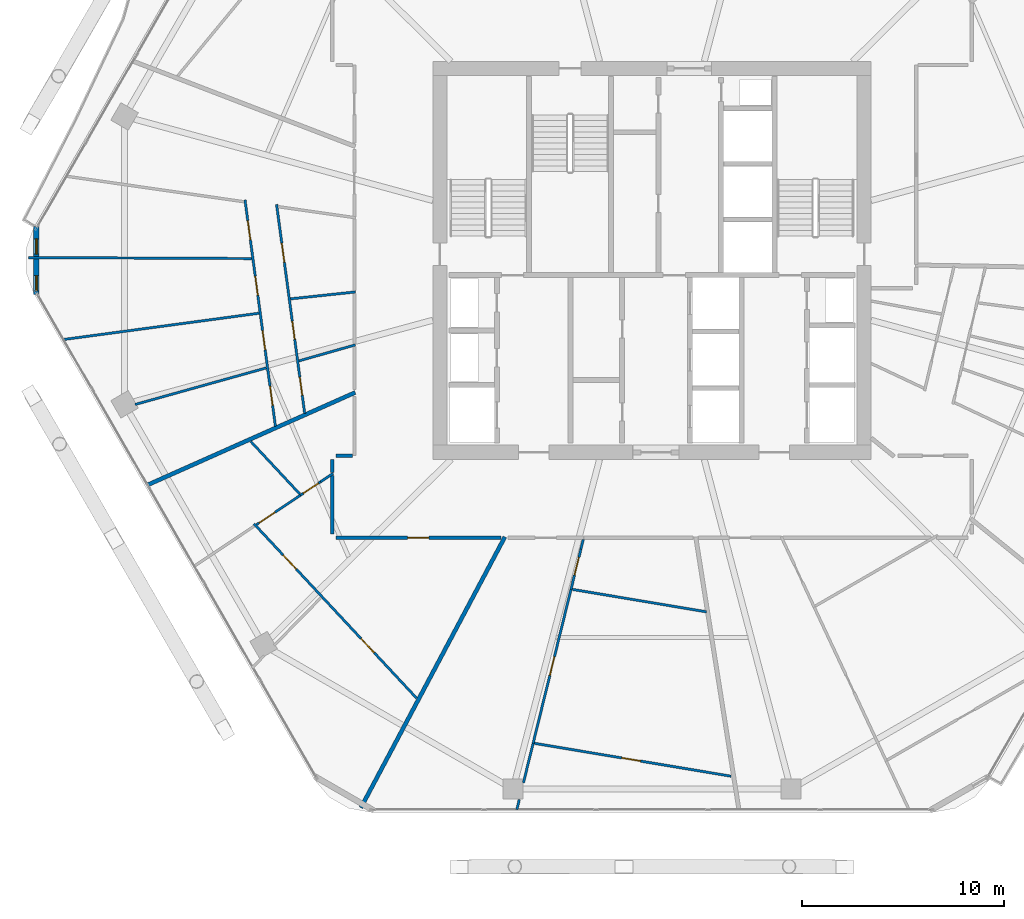
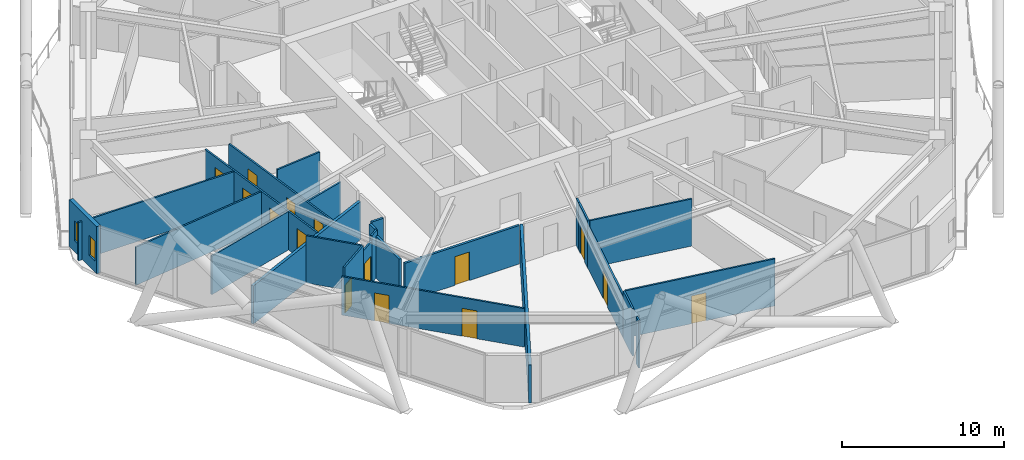
# One storey, part 22 of 30: 26 walls, 15 doors, 2 windows, 17 openings.
"""IFC4 building model written with IfcOpenShell, lengths in metres."""

from ifc_helpers import new_model, si_unit, direction, frame, frame_2d, origin, place, context, subcontext, project, spatial, rectangle, extrude, material, layer, layer_set, type_object, element, fill, save


model = new_model("IFC4")

# Units and contexts
model_context = context("Model", 3, precision=1e-05, world=origin(), true_north=direction((0.0, 1.0)))
body_context = subcontext(model_context, "Body", "Model", "MODEL_VIEW")
ifc_project = project(units=[si_unit("LENGTHUNIT", "METRE"), si_unit("AREAUNIT", "SQUARE_METRE"), si_unit("VOLUMEUNIT", "CUBIC_METRE"), si_unit("PLANEANGLEUNIT", "RADIAN"), si_unit("MASSUNIT", "GRAM", prefix="KILO")], contexts=[model_context])

# Site, building, storey
site_placement = place(None, origin())
site = spatial("IfcSite", under=ifc_project, at=site_placement, CompositionType="ELEMENT")
building_placement = place(site_placement, origin())
building = spatial("IfcBuilding", under=site, at=building_placement, Name="Zuhravey Tower", CompositionType="ELEMENT")
storey_placement = place(building_placement, frame((0.0, 0.0, 177.0)))
storey = spatial("IfcBuildingStorey", under=building, at=storey_placement, Name="L44", CompositionType="ELEMENT", Elevation=177.0)

# Wall, opening, door
ifc_material_1 = material(Name="Gypsum fire-rated stud partition")
ifc_layer_1 = layer(ifc_material_1, 0.159912109375)
ifc_layer_set_1 = layer_set([ifc_layer_1], Name="Gypsum fire-rated stud partition")
wall_type_1 = type_object("IfcWallType", Name="Corridor Fire Partition 160", PredefinedType="PARTITIONING", material=ifc_layer_set_1)
wall_1_placement = place(storey_placement, frame((20.35009765625, 18.27001953125, 0.0), z_axis=(0.0, 0.0, 1.0), x_axis=(1.0, 0.0, 0.0)))
wall_1 = element("IfcWall", 1, at=wall_1_placement, inside=storey, type_object=wall_type_1, Name="L44 IW16 Partition 042", PredefinedType="PARTITIONING", context=body_context, shape_type="SweptSolid", body=[
    extrude(rectangle(XDim=8.17236328125, YDim=0.159912109375, at=frame_2d((4.086181640625, 0.0))), origin(), (0.0, 0.0, 1.0), 2.89990234375),
])
opening_1_placement = place(wall_1_placement, frame((3.561279296875, 0.0, 0.0)))
opening_1 = element("IfcOpeningElement", 2, at=opening_1_placement, cuts=wall_1, Name="Opening APD1", PredefinedType="OPENING", context=body_context, shape_type="SweptSolid", body=[
    extrude(rectangle(XDim=1.050048828125, YDim=2.14990234375, at=frame_2d((0.52490234375, 1.074951171875))), frame((0.0, 0.092041015625, 0.0), z_axis=(0.0, -1.0, 0.0), x_axis=(1.0, 0.0, 0.0)), (0.0, 0.0, 1.0), 0.183837890625),
])
ifc_material_2 = material(Name="Solid-core oak fire-rated leaf")
door_type_1 = type_object("IfcDoorType", Name="Apartment Entrance Fire Door 1050x2150", OperationType="NOTDEFINED", PredefinedType="DOOR", material=ifc_material_2)
door_1_placement = place(opening_1_placement, frame((1.050048828125, 0.0, 0.0), z_axis=(0.0, 0.0, 1.0), x_axis=(-1.0, 0.0, 0.0)))
door_1 = element("IfcDoor", 3, at=door_1_placement, inside=storey, type_object=door_type_1, Name="L44 Door 042.1", OperationType="SINGLE_SWING_LEFT", OverallHeight=2.14990234375, OverallWidth=1.050048828125, PredefinedType="DOOR", context=body_context, shape_type="SweptSolid", body=[
    extrude(rectangle(XDim=1.050048828125, YDim=2.14990234375, at=frame_2d((0.52490234375, 1.074951171875))), frame((0.0, 0.02490234375, 0.0), z_axis=(0.0, -1.0, 0.0), x_axis=(1.0, 0.0, 0.0)), (0.0, 0.0, 1.0), 0.050048828125),
])
fill(opening_1, door_1)

# Walls
wall_2_placement = place(storey_placement, frame((20.169921875, 21.341064453125, 0.0), z_axis=(0.0, 0.0, 1.0), x_axis=(0.0, -1.0, 0.0)))
element("IfcWall", 4, at=wall_2_placement, inside=storey, type_object=wall_type_1, Name="L44 IW16 Partition 114", PredefinedType="PARTITIONING", context=body_context, shape_type="SweptSolid", body=[
    extrude(rectangle(XDim=2.89111328125, YDim=0.159912109375, at=frame_2d((1.445556640625, 0.0))), origin(), (0.0, 0.0, 1.0), 3.14990234375),
])
wall_3_placement = place(storey_placement, frame((21.181884765625, 22.330078125, 0.0), z_axis=(0.0, 0.0, 1.0), x_axis=(-1.0, 0.0, 0.0)))
element("IfcWall", 5, at=wall_3_placement, inside=storey, type_object=wall_type_1, Name="L44 IW16 Partition 116", PredefinedType="PARTITIONING", context=body_context, shape_type="SweptSolid", body=[
    extrude(rectangle(XDim=0.831787109375, YDim=0.159912109375, at=frame_2d((0.416015625, 0.0))), origin(), (0.0, 0.0, 1.0), 3.550048828125),
])
wall_4_placement = place(storey_placement, frame((20.169921875, 22.14990234375, 0.0), z_axis=(0.0, 0.0, 1.0), x_axis=(0.0, -1.0, 0.0)))
element("IfcWall", 6, at=wall_4_placement, inside=storey, type_object=wall_type_1, Name="L44 IW16 Partition 117", PredefinedType="PARTITIONING", context=body_context, shape_type="SweptSolid", body=[
    extrude(rectangle(XDim=0.6455078125, YDim=0.159912109375, at=frame_2d((0.32275390625, 0.0))), origin(), (0.0, 0.0, 1.0), 3.550048828125),
])

# Wall, openings, windows
ifc_material_3 = material(Name="Precast concrete C40/50", Category="concrete")
ifc_layer_2 = layer(ifc_material_3, 0.280029296875)
ifc_layer_set_2 = layer_set([ifc_layer_2], Name="Precast concrete C40/50")
wall_type_2 = type_object("IfcWallType", Name="Crown Architectural Wall 280", PredefinedType="SOLIDWALL", material=ifc_layer_set_2)
wall_5_placement = place(storey_placement, frame((5.5283203125, 30.3173828125, 0.0), z_axis=(0.0, 0.0, 1.0), x_axis=(0.0, 1.0, 0.0)))
wall_5 = element("IfcWall", 7, at=wall_5_placement, inside=storey, type_object=wall_type_2, Name="L44 Rounded Corner Closure Wall EW28-06", PredefinedType="SOLIDWALL", context=body_context, shape_type="SweptSolid", body=[
    extrude(rectangle(XDim=3.365234375, YDim=0.280029296875, at=frame_2d((1.6826171875, 0.0))), origin(), (0.0, 0.0, 1.0), 3.550048828125),
])
opening_2_placement = place(wall_5_placement, frame((1.994384765625, 0.0, 0.85009765625)))
opening_2 = element("IfcOpeningElement", 8, at=opening_2_placement, cuts=wall_5, Name="Opening WN5", PredefinedType="OPENING", context=body_context, shape_type="SweptSolid", body=[
    extrude(rectangle(XDim=0.75, YDim=1.5, at=frame_2d((0.375, 0.75))), frame((0.0, 0.152099609375, 0.0), z_axis=(0.0, -1.0, 0.0), x_axis=(1.0, 0.0, 0.0)), (0.0, 0.0, 1.0), 0.303955078125),
])
opening_3_placement = place(wall_5_placement, frame((0.17919921875, 0.0, 0.85009765625)))
opening_3 = element("IfcOpeningElement", 9, at=opening_3_placement, cuts=wall_5, Name="Opening WN5", PredefinedType="OPENING", context=body_context, shape_type="SweptSolid", body=[
    extrude(rectangle(XDim=0.75, YDim=1.5, at=frame_2d((0.375, 0.75))), frame((0.0, 0.152099609375, 0.0), z_axis=(0.0, -1.0, 0.0), x_axis=(1.0, 0.0, 0.0)), (0.0, 0.0, 1.0), 0.303955078125),
])
ifc_material_4 = material(Name="Thermally broken aluminium and triple low-E glass", Category="aluminium")
window_type = type_object("IfcWindowType", Name="Residential Corner Casement Window 750x1500", PartitioningType="SINGLE_PANEL", PredefinedType="WINDOW", material=ifc_material_4)
window_1_placement = place(opening_2_placement, origin())
window_1 = element("IfcWindow", 10, at=window_1_placement, inside=storey, type_object=window_type, Name="L44 Corner Casement Window WN5-06.1", OverallHeight=1.5, OverallWidth=0.75, PartitioningType="SINGLE_PANEL", PredefinedType="WINDOW", context=body_context, shape_type="SweptSolid", body=[
    extrude(rectangle(XDim=0.75, YDim=1.5, at=frame_2d((0.375, 0.75))), frame((0.0, 0.030029296875, 0.0), z_axis=(0.0, -1.0, 0.0), x_axis=(1.0, 0.0, 0.0)), (0.0, 0.0, 1.0), 0.06005859375),
])
fill(opening_2, window_1)
window_2_placement = place(opening_3_placement, origin())
window_2 = element("IfcWindow", 11, at=window_2_placement, inside=storey, type_object=window_type, Name="L44 Corner Casement Window WN5-06.2", OverallHeight=1.5, OverallWidth=0.75, PartitioningType="SINGLE_PANEL", PredefinedType="WINDOW", context=body_context, shape_type="SweptSolid", body=[
    extrude(rectangle(XDim=0.75, YDim=1.5, at=frame_2d((0.375, 0.75))), frame((0.0, 0.030029296875, 0.0), z_axis=(0.0, -1.0, 0.0), x_axis=(1.0, 0.0, 0.0)), (0.0, 0.0, 1.0), 0.06005859375),
])
fill(opening_3, window_2)

# Walls
ifc_material_5 = material(Name="Gypsum double-stud party assembly")
ifc_layer_3 = layer(ifc_material_5, 0.199951171875)
ifc_layer_set_3 = layer_set([ifc_layer_3], Name="Gypsum double-stud party assembly")
wall_type_3 = type_object("IfcWallType", Name="Inter-Tenancy Party Wall 200", PredefinedType="PARTITIONING", material=ifc_layer_set_3)
wall_6_placement = place(storey_placement, frame((21.31005859375, 25.459716796875, 0.0), z_axis=(0.0, 0.0, 1.0), x_axis=(-0.913543837416, -0.406740282146, 0.0)))
element("IfcWall", 12, at=wall_6_placement, inside=storey, type_object=wall_type_3, Name="L44 IW20 Partition 081", PredefinedType="PARTITIONING", context=body_context, shape_type="SweptSolid", body=[
    extrude(rectangle(XDim=11.252685546875, YDim=0.199951171875, at=frame_2d((5.62646484375, 0.0))), origin(), (0.0, 0.0, 1.0), 2.8701171875),
])
wall_7_placement = place(storey_placement, frame((28.720947265625, 18.31005859375, 0.0), z_axis=(0.0, 0.0, 1.0), x_axis=(-0.469463317487, -0.882951976913, 0.0)))
element("IfcWall", 13, at=wall_7_placement, inside=storey, type_object=wall_type_3, Name="L44 IW20 Partition 086", PredefinedType="PARTITIONING", context=body_context, shape_type="SweptSolid", body=[
    extrude(rectangle(XDim=15.178466796875, YDim=0.199951171875, at=frame_2d((7.58935546875, 0.0))), origin(), (0.0, 0.0, 1.0), 2.8701171875),
])

# Wall, openings, doors
ifc_material_6 = material(Name="Gypsum metal-stud partition")
ifc_layer_4 = layer(ifc_material_6, 0.1201171875)
ifc_layer_set_4 = layer_set([ifc_layer_4], Name="Gypsum metal-stud partition")
wall_type_4 = type_object("IfcWallType", Name="Unit Internal Partition 120", PredefinedType="PARTITIONING", material=ifc_layer_set_4)
wall_8_placement = place(storey_placement, frame((17.417724609375, 34.772216796875, 0.0), z_axis=(0.0, 0.0, 1.0), x_axis=(0.133300793384, -0.991075627025, 0.0)))
wall_8 = element("IfcWall", 14, at=wall_8_placement, inside=storey, type_object=wall_type_4, Name="L44 IW12 Partition 035", PredefinedType="PARTITIONING", context=body_context, shape_type="SweptSolid", body=[
    extrude(rectangle(XDim=10.44873046875, YDim=0.1201171875, at=frame_2d((5.224365234375, 0.0))), origin(), (0.0, 0.0, 1.0), 2.89990234375),
])
opening_4_placement = place(wall_8_placement, frame((1.939697265625, 0.0, 0.0)))
opening_4 = element("IfcOpeningElement", 15, at=opening_4_placement, cuts=wall_8, Name="Opening IND1", PredefinedType="OPENING", context=body_context, shape_type="SweptSolid", body=[
    extrude(rectangle(XDim=0.949951171875, YDim=2.10009765625, at=frame_2d((0.47509765625, 1.050048828125))), frame((0.0, 0.072021484375, 0.0), z_axis=(0.0, -1.0, 0.0), x_axis=(1.0, 0.0, 0.0)), (0.0, 0.0, 1.0), 0.14404296875),
])
opening_5_placement = place(wall_8_placement, frame((5.830810546875, 0.0, 0.0)))
opening_5 = element("IfcOpeningElement", 16, at=opening_5_placement, cuts=wall_8, Name="Opening WCD1", PredefinedType="OPENING", context=body_context, shape_type="SweptSolid", body=[
    extrude(rectangle(XDim=0.89990234375, YDim=2.10009765625, at=frame_2d((0.449951171875, 1.050048828125))), frame((0.0, 0.072021484375, 0.0), z_axis=(0.0, -1.0, 0.0), x_axis=(1.0, 0.0, 0.0)), (0.0, 0.0, 1.0), 0.14404296875),
])
opening_6_placement = place(wall_8_placement, frame((8.64013671875, 0.0, 0.0)))
opening_6 = element("IfcOpeningElement", 17, at=opening_6_placement, cuts=wall_8, Name="Opening WCD1", PredefinedType="OPENING", context=body_context, shape_type="SweptSolid", body=[
    extrude(rectangle(XDim=0.89990234375, YDim=2.10009765625, at=frame_2d((0.449951171875, 1.050048828125))), frame((0.0, 0.072021484375, 0.0), z_axis=(0.0, -1.0, 0.0), x_axis=(1.0, 0.0, 0.0)), (0.0, 0.0, 1.0), 0.14404296875),
])
ifc_material_7 = material(Name="Moisture-resistant timber leaf", Category="wood")
door_type_2 = type_object("IfcDoorType", Name="Bathroom & WC Internal Door 900x2100", OperationType="NOTDEFINED", PredefinedType="DOOR", material=ifc_material_7)
door_2_placement = place(opening_5_placement, origin())
door_2 = element("IfcDoor", 18, at=door_2_placement, inside=storey, type_object=door_type_2, Name="Apartment L44-04 Bathroom 1 Door", OperationType="SINGLE_SWING_RIGHT", OverallHeight=2.10009765625, OverallWidth=0.89990234375, PredefinedType="DOOR", context=body_context, shape_type="SweptSolid", body=[
    extrude(rectangle(XDim=0.89990234375, YDim=2.10009765625, at=frame_2d((0.449951171875, 1.050048828125))), frame((0.0, 0.02490234375, 0.0), z_axis=(0.0, -1.0, 0.0), x_axis=(1.0, 0.0, 0.0)), (0.0, 0.0, 1.0), 0.050048828125),
])
fill(opening_5, door_2)
door_3_placement = place(opening_6_placement, origin())
door_3 = element("IfcDoor", 19, at=door_3_placement, inside=storey, type_object=door_type_2, Name="Apartment L44-04 Bathroom 2 Door", OperationType="SINGLE_SWING_LEFT", OverallHeight=2.10009765625, OverallWidth=0.89990234375, PredefinedType="DOOR", context=body_context, shape_type="SweptSolid", body=[
    extrude(rectangle(XDim=0.89990234375, YDim=2.10009765625, at=frame_2d((0.449951171875, 1.050048828125))), frame((0.0, 0.02490234375, 0.0), z_axis=(0.0, -1.0, 0.0), x_axis=(1.0, 0.0, 0.0)), (0.0, 0.0, 1.0), 0.050048828125),
])
fill(opening_6, door_3)
ifc_material_8 = material(Name="Painted engineered timber leaf", Category="wood")
door_type_3 = type_object("IfcDoorType", Name="Internal Room & Bedroom Door 950x2100", OperationType="NOTDEFINED", PredefinedType="DOOR", material=ifc_material_8)
door_4_placement = place(opening_4_placement, origin())
door_4 = element("IfcDoor", 20, at=door_4_placement, inside=storey, type_object=door_type_3, Name="Apartment L44-04 Kitchen Door", OperationType="SINGLE_SWING_LEFT", OverallHeight=2.10009765625, OverallWidth=0.949951171875, PredefinedType="DOOR", context=body_context, shape_type="SweptSolid", body=[
    extrude(rectangle(XDim=0.949951171875, YDim=2.10009765625, at=frame_2d((0.47509765625, 1.050048828125))), frame((0.0, 0.02490234375, 0.0), z_axis=(0.0, -1.0, 0.0), x_axis=(1.0, 0.0, 0.0)), (0.0, 0.0, 1.0), 0.050048828125),
])
fill(opening_4, door_4)

wall_9_placement = place(storey_placement, frame((15.85400390625, 34.9970703125, 0.0), z_axis=(0.0, 0.0, 1.0), x_axis=(0.133279106394, -0.991078543708, 0.0)))
wall_9 = element("IfcWall", 21, at=wall_9_placement, inside=storey, type_object=wall_type_4, Name="L44 IW12 Partition 036", PredefinedType="PARTITIONING", context=body_context, shape_type="SweptSolid", body=[
    extrude(rectangle(XDim=11.311279296875, YDim=0.1201171875, at=frame_2d((5.65576171875, 0.0))), origin(), (0.0, 0.0, 1.0), 2.89990234375),
])
opening_7_placement = place(wall_9_placement, frame((1.041748046875, 0.0, 0.0)))
opening_7 = element("IfcOpeningElement", 22, at=opening_7_placement, cuts=wall_9, Name="Opening IND1", PredefinedType="OPENING", context=body_context, shape_type="SweptSolid", body=[
    extrude(rectangle(XDim=0.949951171875, YDim=2.10009765625, at=frame_2d((0.47509765625, 1.050048828125))), frame((0.0, 0.072021484375, 0.0), z_axis=(0.0, -1.0, 0.0), x_axis=(1.0, 0.0, 0.0)), (0.0, 0.0, 1.0), 0.14404296875),
])
opening_8_placement = place(wall_9_placement, frame((3.819091796875, 0.0, 0.0)))
opening_8 = element("IfcOpeningElement", 23, at=opening_8_placement, cuts=wall_9, Name="Opening IND1", PredefinedType="OPENING", context=body_context, shape_type="SweptSolid", body=[
    extrude(rectangle(XDim=0.949951171875, YDim=2.10009765625, at=frame_2d((0.47509765625, 1.050048828125))), frame((0.0, 0.072021484375, 0.0), z_axis=(0.0, -1.0, 0.0), x_axis=(1.0, 0.0, 0.0)), (0.0, 0.0, 1.0), 0.14404296875),
])
opening_9_placement = place(wall_9_placement, frame((6.5419921875, 0.0, 0.0)))
opening_9 = element("IfcOpeningElement", 24, at=opening_9_placement, cuts=wall_9, Name="Opening IND1", PredefinedType="OPENING", context=body_context, shape_type="SweptSolid", body=[
    extrude(rectangle(XDim=0.949951171875, YDim=2.10009765625, at=frame_2d((0.47509765625, 1.050048828125))), frame((0.0, 0.072021484375, 0.0), z_axis=(0.0, -1.0, 0.0), x_axis=(1.0, 0.0, 0.0)), (0.0, 0.0, 1.0), 0.14404296875),
])
opening_10_placement = place(wall_9_placement, frame((9.319580078125, 0.0, 0.0)))
opening_10 = element("IfcOpeningElement", 25, at=opening_10_placement, cuts=wall_9, Name="Opening IND1", PredefinedType="OPENING", context=body_context, shape_type="SweptSolid", body=[
    extrude(rectangle(XDim=0.949951171875, YDim=2.10009765625, at=frame_2d((0.47509765625, 1.050048828125))), frame((0.0, 0.072021484375, 0.0), z_axis=(0.0, -1.0, 0.0), x_axis=(1.0, 0.0, 0.0)), (0.0, 0.0, 1.0), 0.14404296875),
])
door_5_placement = place(opening_7_placement, frame((0.949951171875, 0.0, 0.0), z_axis=(0.0, 0.0, 1.0), x_axis=(-1.0, 0.0, 0.0)))
door_5 = element("IfcDoor", 26, at=door_5_placement, inside=storey, type_object=door_type_3, Name="Apartment L44-04 Bedroom 1 Door", OperationType="SINGLE_SWING_RIGHT", OverallHeight=2.10009765625, OverallWidth=0.949951171875, PredefinedType="DOOR", context=body_context, shape_type="SweptSolid", body=[
    extrude(rectangle(XDim=0.949951171875, YDim=2.10009765625, at=frame_2d((0.47509765625, 1.050048828125))), frame((0.0, 0.02490234375, 0.0), z_axis=(0.0, -1.0, 0.0), x_axis=(1.0, 0.0, 0.0)), (0.0, 0.0, 1.0), 0.050048828125),
])
fill(opening_7, door_5)
door_6_placement = place(opening_8_placement, frame((0.949951171875, 0.0, 0.0), z_axis=(0.0, 0.0, 1.0), x_axis=(-1.0, 0.0, 0.0)))
door_6 = element("IfcDoor", 27, at=door_6_placement, inside=storey, type_object=door_type_3, Name="Apartment L44-04 Bedroom 2 Door", OperationType="SINGLE_SWING_LEFT", OverallHeight=2.10009765625, OverallWidth=0.949951171875, PredefinedType="DOOR", context=body_context, shape_type="SweptSolid", body=[
    extrude(rectangle(XDim=0.949951171875, YDim=2.10009765625, at=frame_2d((0.47509765625, 1.050048828125))), frame((0.0, 0.02490234375, 0.0), z_axis=(0.0, -1.0, 0.0), x_axis=(1.0, 0.0, 0.0)), (0.0, 0.0, 1.0), 0.050048828125),
])
fill(opening_8, door_6)
door_7_placement = place(opening_9_placement, frame((0.949951171875, 0.0, 0.0), z_axis=(0.0, 0.0, 1.0), x_axis=(-1.0, 0.0, 0.0)))
door_7 = element("IfcDoor", 28, at=door_7_placement, inside=storey, type_object=door_type_3, Name="Apartment L44-04 Bedroom 3 Door", OperationType="SINGLE_SWING_RIGHT", OverallHeight=2.10009765625, OverallWidth=0.949951171875, PredefinedType="DOOR", context=body_context, shape_type="SweptSolid", body=[
    extrude(rectangle(XDim=0.949951171875, YDim=2.10009765625, at=frame_2d((0.47509765625, 1.050048828125))), frame((0.0, 0.02490234375, 0.0), z_axis=(0.0, -1.0, 0.0), x_axis=(1.0, 0.0, 0.0)), (0.0, 0.0, 1.0), 0.050048828125),
])
fill(opening_9, door_7)
door_8_placement = place(opening_10_placement, frame((0.949951171875, 0.0, 0.0), z_axis=(0.0, 0.0, 1.0), x_axis=(-1.0, 0.0, 0.0)))
door_8 = element("IfcDoor", 29, at=door_8_placement, inside=storey, type_object=door_type_3, Name="Apartment L44-04 Bedroom 4 Door", OperationType="SINGLE_SWING_LEFT", OverallHeight=2.10009765625, OverallWidth=0.949951171875, PredefinedType="DOOR", context=body_context, shape_type="SweptSolid", body=[
    extrude(rectangle(XDim=0.949951171875, YDim=2.10009765625, at=frame_2d((0.47509765625, 1.050048828125))), frame((0.0, 0.02490234375, 0.0), z_axis=(0.0, -1.0, 0.0), x_axis=(1.0, 0.0, 0.0)), (0.0, 0.0, 1.0), 0.050048828125),
])
fill(opening_10, door_8)

wall_10_placement = place(storey_placement, frame((16.301513671875, 18.9580078125, 0.0), z_axis=(0.0, 0.0, 1.0), x_axis=(0.681998933698, -0.731353166695, 0.0)))
wall_10 = element("IfcWall", 30, at=wall_10_placement, inside=storey, type_object=wall_type_4, Name="L44 IW12 Partition 038", PredefinedType="PARTITIONING", context=body_context, shape_type="SweptSolid", body=[
    extrude(rectangle(XDim=11.7978515625, YDim=0.1201171875, at=frame_2d((5.89892578125, 0.0))), origin(), (0.0, 0.0, 1.0), 2.89990234375),
])
opening_11_placement = place(wall_10_placement, frame((2.1103515625, 0.0, 0.0)))
opening_11 = element("IfcOpeningElement", 31, at=opening_11_placement, cuts=wall_10, Name="Opening IND1", PredefinedType="OPENING", context=body_context, shape_type="SweptSolid", body=[
    extrude(rectangle(XDim=0.949951171875, YDim=2.10009765625, at=frame_2d((0.47509765625, 1.050048828125))), frame((0.0, 0.072021484375, 0.0), z_axis=(0.0, -1.0, 0.0), x_axis=(1.0, 0.0, 0.0)), (0.0, 0.0, 1.0), 0.14404296875),
])
opening_12_placement = place(wall_10_placement, frame((7.769287109375, 0.0, 0.0)))
opening_12 = element("IfcOpeningElement", 32, at=opening_12_placement, cuts=wall_10, Name="Opening IND1", PredefinedType="OPENING", context=body_context, shape_type="SweptSolid", body=[
    extrude(rectangle(XDim=0.949951171875, YDim=2.10009765625, at=frame_2d((0.47509765625, 1.050048828125))), frame((0.0, 0.072021484375, 0.0), z_axis=(0.0, -1.0, 0.0), x_axis=(1.0, 0.0, 0.0)), (0.0, 0.0, 1.0), 0.14404296875),
])
door_9_placement = place(opening_11_placement, frame((0.949951171875, 0.0, 0.0), z_axis=(0.0, 0.0, 1.0), x_axis=(-1.0, 0.0, 0.0)))
door_9 = element("IfcDoor", 33, at=door_9_placement, inside=storey, type_object=door_type_3, Name="Apartment L44-05 Family Study Door", OperationType="SINGLE_SWING_LEFT", OverallHeight=2.10009765625, OverallWidth=0.949951171875, PredefinedType="DOOR", context=body_context, shape_type="SweptSolid", body=[
    extrude(rectangle(XDim=0.949951171875, YDim=2.10009765625, at=frame_2d((0.47509765625, 1.050048828125))), frame((0.0, 0.02490234375, 0.0), z_axis=(0.0, -1.0, 0.0), x_axis=(1.0, 0.0, 0.0)), (0.0, 0.0, 1.0), 0.050048828125),
])
fill(opening_11, door_9)
door_10_placement = place(opening_12_placement, frame((0.949951171875, 0.0, 0.0), z_axis=(0.0, 0.0, 1.0), x_axis=(-1.0, 0.0, 0.0)))
door_10 = element("IfcDoor", 34, at=door_10_placement, inside=storey, type_object=door_type_3, Name="Apartment L44-05 Dining Room Door", OperationType="SINGLE_SWING_RIGHT", OverallHeight=2.10009765625, OverallWidth=0.949951171875, PredefinedType="DOOR", context=body_context, shape_type="SweptSolid", body=[
    extrude(rectangle(XDim=0.949951171875, YDim=2.10009765625, at=frame_2d((0.47509765625, 1.050048828125))), frame((0.0, 0.02490234375, 0.0), z_axis=(0.0, -1.0, 0.0), x_axis=(1.0, 0.0, 0.0)), (0.0, 0.0, 1.0), 0.050048828125),
])
fill(opening_12, door_10)

# Wall, opening, door
wall_11_placement = place(storey_placement, frame((19.60009765625, 21.0419921875, 0.0), z_axis=(0.0, 0.0, 1.0), x_axis=(-0.831460345356, -0.555584101735, 0.0)))
wall_11 = element("IfcWall", 35, at=wall_11_placement, inside=storey, type_object=wall_type_4, Name="L44 IW12 Partition 039", PredefinedType="PARTITIONING", context=body_context, shape_type="SweptSolid", body=[
    extrude(rectangle(XDim=1.210693359375, YDim=0.1201171875, at=frame_2d((0.60546875, 0.0))), origin(), (0.0, 0.0, 1.0), 3.14990234375),
])
opening_13_placement = place(wall_11_placement, frame((0.139892578125, 0.0, 0.0)))
opening_13 = element("IfcOpeningElement", 36, at=opening_13_placement, cuts=wall_11, Name="Opening WCD1", PredefinedType="OPENING", context=body_context, shape_type="SweptSolid", body=[
    extrude(rectangle(XDim=0.89990234375, YDim=2.10009765625, at=frame_2d((0.449951171875, 1.050048828125))), frame((0.0, 0.072021484375, 0.0), z_axis=(0.0, -1.0, 0.0), x_axis=(1.0, 0.0, 0.0)), (0.0, 0.0, 1.0), 0.14404296875),
])
door_11_placement = place(opening_13_placement, frame((0.89990234375, 0.0, 0.0), z_axis=(0.0, 0.0, 1.0), x_axis=(-1.0, 0.0, 0.0)))
door_11 = element("IfcDoor", 37, at=door_11_placement, inside=storey, type_object=door_type_2, Name="Apartment L44-05 Bathroom Door", OperationType="SINGLE_SWING_LEFT", OverallHeight=2.10009765625, OverallWidth=0.89990234375, PredefinedType="DOOR", context=body_context, shape_type="SweptSolid", body=[
    extrude(rectangle(XDim=0.89990234375, YDim=2.10009765625, at=frame_2d((0.449951171875, 1.050048828125))), frame((0.0, 0.02490234375, 0.0), z_axis=(0.0, -1.0, 0.0), x_axis=(1.0, 0.0, 0.0)), (0.0, 0.0, 1.0), 0.050048828125),
])
fill(opening_13, door_11)

wall_12_placement = place(storey_placement, frame((18.593505859375, 20.369384765625, 0.0), z_axis=(0.0, 0.0, 1.0), x_axis=(-0.831487480853, -0.555543489913, 0.0)))
wall_12 = element("IfcWall", 38, at=wall_12_placement, inside=storey, type_object=wall_type_4, Name="L44 IW12 Partition 040", PredefinedType="PARTITIONING", context=body_context, shape_type="SweptSolid", body=[
    extrude(rectangle(XDim=2.604736328125, YDim=0.1201171875, at=frame_2d((1.30224609375, 0.0))), origin(), (0.0, 0.0, 1.0), 3.550048828125),
])
opening_14_placement = place(wall_12_placement, frame((1.510498046875, 0.0, 0.0)))
opening_14 = element("IfcOpeningElement", 39, at=opening_14_placement, cuts=wall_12, Name="Opening IND1", PredefinedType="OPENING", context=body_context, shape_type="SweptSolid", body=[
    extrude(rectangle(XDim=0.949951171875, YDim=2.10009765625, at=frame_2d((0.47509765625, 1.050048828125))), frame((0.0, 0.072021484375, 0.0), z_axis=(0.0, -1.0, 0.0), x_axis=(1.0, 0.0, 0.0)), (0.0, 0.0, 1.0), 0.14404296875),
])
door_12_placement = place(opening_14_placement, frame((0.949951171875, 0.0, 0.0), z_axis=(0.0, 0.0, 1.0), x_axis=(-1.0, 0.0, 0.0)))
door_12 = element("IfcDoor", 40, at=door_12_placement, inside=storey, type_object=door_type_3, Name="Apartment L44-05 Bedroom 1 Door", OperationType="SINGLE_SWING_RIGHT", OverallHeight=2.10009765625, OverallWidth=0.949951171875, PredefinedType="DOOR", context=body_context, shape_type="SweptSolid", body=[
    extrude(rectangle(XDim=0.949951171875, YDim=2.10009765625, at=frame_2d((0.47509765625, 1.050048828125))), frame((0.0, 0.02490234375, 0.0), z_axis=(0.0, -1.0, 0.0), x_axis=(1.0, 0.0, 0.0)), (0.0, 0.0, 1.0), 0.050048828125),
])
fill(opening_14, door_12)

wall_13_placement = place(storey_placement, frame((32.482421875, 17.699951171875, 0.0), z_axis=(0.0, 0.0, 1.0), x_axis=(-0.238993265464, -0.971021224826, 0.0)))
wall_13 = element("IfcWall", 41, at=wall_13_placement, inside=storey, type_object=wall_type_4, Name="L44 IW12 Partition 043", PredefinedType="PARTITIONING", context=body_context, shape_type="SweptSolid", body=[
    extrude(rectangle(XDim=2.060546875, YDim=0.1201171875, at=frame_2d((1.0302734375, 0.0))), origin(), (0.0, 0.0, 1.0), 3.550048828125),
])
opening_15_placement = place(wall_13_placement, frame((0.415283203125, 0.0, 0.0)))
opening_15 = element("IfcOpeningElement", 42, at=opening_15_placement, cuts=wall_13, Name="Opening WCD1", PredefinedType="OPENING", context=body_context, shape_type="SweptSolid", body=[
    extrude(rectangle(XDim=0.89990234375, YDim=2.10009765625, at=frame_2d((0.449951171875, 1.050048828125))), frame((0.0, 0.072021484375, 0.0), z_axis=(0.0, -1.0, 0.0), x_axis=(1.0, 0.0, 0.0)), (0.0, 0.0, 1.0), 0.14404296875),
])
door_13_placement = place(opening_15_placement, origin())
door_13 = element("IfcDoor", 43, at=door_13_placement, inside=storey, type_object=door_type_2, Name="Apartment L44-06 Bathroom Door", OperationType="SINGLE_SWING_RIGHT", OverallHeight=2.10009765625, OverallWidth=0.89990234375, PredefinedType="DOOR", context=body_context, shape_type="SweptSolid", body=[
    extrude(rectangle(XDim=0.89990234375, YDim=2.10009765625, at=frame_2d((0.449951171875, 1.050048828125))), frame((0.0, 0.02490234375, 0.0), z_axis=(0.0, -1.0, 0.0), x_axis=(1.0, 0.0, 0.0)), (0.0, 0.0, 1.0), 0.050048828125),
])
fill(opening_15, door_13)

wall_14_placement = place(storey_placement, frame((31.989990234375, 15.69921875, 0.0), z_axis=(0.0, 0.0, 1.0), x_axis=(-0.238859295783, -0.971054188405, 0.0)))
wall_14 = element("IfcWall", 44, at=wall_14_placement, inside=storey, type_object=wall_type_4, Name="L44 IW12 Partition 044", PredefinedType="PARTITIONING", context=body_context, shape_type="SweptSolid", body=[
    extrude(rectangle(XDim=7.84765625, YDim=0.1201171875, at=frame_2d((3.923828125, 0.0))), origin(), (0.0, 0.0, 1.0), 3.14990234375),
])
opening_16_placement = place(wall_14_placement, frame((3.423828125, 0.0, 0.0)))
opening_16 = element("IfcOpeningElement", 45, at=opening_16_placement, cuts=wall_14, Name="Opening IND1", PredefinedType="OPENING", context=body_context, shape_type="SweptSolid", body=[
    extrude(rectangle(XDim=0.949951171875, YDim=2.10009765625, at=frame_2d((0.47509765625, 1.050048828125))), frame((0.0, 0.072021484375, 0.0), z_axis=(0.0, -1.0, 0.0), x_axis=(1.0, 0.0, 0.0)), (0.0, 0.0, 1.0), 0.14404296875),
])
door_14_placement = place(opening_16_placement, origin())
door_14 = element("IfcDoor", 46, at=door_14_placement, inside=storey, type_object=door_type_3, Name="Apartment L44-06 Home Office Door", OperationType="SINGLE_SWING_LEFT", OverallHeight=2.10009765625, OverallWidth=0.949951171875, PredefinedType="DOOR", context=body_context, shape_type="SweptSolid", body=[
    extrude(rectangle(XDim=0.949951171875, YDim=2.10009765625, at=frame_2d((0.47509765625, 1.050048828125))), frame((0.0, 0.02490234375, 0.0), z_axis=(0.0, -1.0, 0.0), x_axis=(1.0, 0.0, 0.0)), (0.0, 0.0, 1.0), 0.050048828125),
])
fill(opening_16, door_14)

wall_15_placement = place(storey_placement, frame((30.188720703125, 8.091552734375, 0.0), z_axis=(0.0, 0.0, 1.0), x_axis=(0.986287356635, -0.165037117469, 0.0)))
wall_15 = element("IfcWall", 47, at=wall_15_placement, inside=storey, type_object=wall_type_4, Name="L44 IW12 Partition 045", PredefinedType="PARTITIONING", context=body_context, shape_type="SweptSolid", body=[
    extrude(rectangle(XDim=9.864013671875, YDim=0.1201171875, at=frame_2d((4.93212890625, 0.0))), origin(), (0.0, 0.0, 1.0), 3.550048828125),
])
opening_17_placement = place(wall_15_placement, frame((4.372802734375, 0.0, 0.0)))
opening_17 = element("IfcOpeningElement", 48, at=opening_17_placement, cuts=wall_15, Name="Opening IND1", PredefinedType="OPENING", context=body_context, shape_type="SweptSolid", body=[
    extrude(rectangle(XDim=0.949951171875, YDim=2.10009765625, at=frame_2d((0.47509765625, 1.050048828125))), frame((0.0, 0.072021484375, 0.0), z_axis=(0.0, -1.0, 0.0), x_axis=(1.0, 0.0, 0.0)), (0.0, 0.0, 1.0), 0.14404296875),
])
door_15_placement = place(opening_17_placement, frame((0.949951171875, 0.0, 0.0), z_axis=(0.0, 0.0, 1.0), x_axis=(-1.0, 0.0, 0.0)))
door_15 = element("IfcDoor", 49, at=door_15_placement, inside=storey, type_object=door_type_3, Name="Apartment L44-06 Bedroom 1 Door", OperationType="SINGLE_SWING_RIGHT", OverallHeight=2.10009765625, OverallWidth=0.949951171875, PredefinedType="DOOR", context=body_context, shape_type="SweptSolid", body=[
    extrude(rectangle(XDim=0.949951171875, YDim=2.10009765625, at=frame_2d((0.47509765625, 1.050048828125))), frame((0.0, 0.02490234375, 0.0), z_axis=(0.0, -1.0, 0.0), x_axis=(1.0, 0.0, 0.0)), (0.0, 0.0, 1.0), 0.050048828125),
])
fill(opening_17, door_15)

# Walls
wall_16_placement = place(storey_placement, frame((21.320068359375, 30.4375, 0.0), z_axis=(0.0, 0.0, 1.0), x_axis=(-0.994376869396, -0.105899204953, 0.0)))
element("IfcWall", 50, at=wall_16_placement, inside=storey, type_object=wall_type_4, Name="L44 IW12 Partition 074", PredefinedType="PARTITIONING", context=body_context, shape_type="SweptSolid", body=[
    extrude(rectangle(XDim=3.222900390625, YDim=0.1201171875, at=frame_2d((1.611328125, 0.0))), origin(), (0.0, 0.0, 1.0), 3.550048828125),
])
wall_17_placement = place(storey_placement, frame((21.320068359375, 27.819091796875, 0.0), z_axis=(0.0, 0.0, 1.0), x_axis=(-0.961771119413, -0.273854548737, 0.0)))
element("IfcWall", 51, at=wall_17_placement, inside=storey, type_object=wall_type_4, Name="L44 IW12 Partition 075", PredefinedType="PARTITIONING", context=body_context, shape_type="SweptSolid", body=[
    extrude(rectangle(XDim=2.90283203125, YDim=0.1201171875, at=frame_2d((1.451416015625, 0.0))), origin(), (0.0, 0.0, 1.0), 2.89990234375),
])
wall_18_placement = place(storey_placement, frame((16.17626953125, 32.08984375, 0.0), z_axis=(0.0, 0.0, 1.0), x_axis=(-0.999989631639, 0.004553747245, 0.0)))
element("IfcWall", 52, at=wall_18_placement, inside=storey, type_object=wall_type_4, Name="L44 IW12 Partition 076", PredefinedType="PARTITIONING", context=body_context, shape_type="SweptSolid", body=[
    extrude(rectangle(XDim=11.044189453125, YDim=0.1201171875, at=frame_2d((5.52197265625, 0.0))), origin(), (0.0, 0.0, 1.0), 2.8701171875),
])
wall_19_placement = place(storey_placement, frame((16.540283203125, 29.3828125, 0.0), z_axis=(0.0, 0.0, 1.0), x_axis=(-0.991077690838, -0.133285448281, 0.0)))
element("IfcWall", 53, at=wall_19_placement, inside=storey, type_object=wall_type_4, Name="L44 IW12 Partition 077", PredefinedType="PARTITIONING", context=body_context, shape_type="SweptSolid", body=[
    extrude(rectangle(XDim=9.764892578125, YDim=0.1201171875, at=frame_2d((4.88232421875, 0.0))), origin(), (0.0, 0.0, 1.0), 2.8701171875),
])
wall_20_placement = place(storey_placement, frame((16.904296875, 26.675537109375, 0.0), z_axis=(0.0, 0.0, 1.0), x_axis=(-0.963259527587, -0.26857230407, 0.0)))
element("IfcWall", 54, at=wall_20_placement, inside=storey, type_object=wall_type_4, Name="L44 IW12 Partition 078", PredefinedType="PARTITIONING", context=body_context, shape_type="SweptSolid", body=[
    extrude(rectangle(XDim=6.739501953125, YDim=0.1201171875, at=frame_2d((3.36962890625, 0.0))), origin(), (0.0, 0.0, 1.0), 2.89990234375),
])
wall_21_placement = place(storey_placement, frame((20.215087890625, 21.452880859375, 0.0), z_axis=(0.0, 0.0, 1.0), x_axis=(-0.831491262241, -0.555537830231, 0.0)))
element("IfcWall", 55, at=wall_21_placement, inside=storey, type_object=wall_type_4, Name="L44 IW12 Partition 084", PredefinedType="PARTITIONING", context=body_context, shape_type="SweptSolid", body=[
    extrude(rectangle(XDim=0.739501953125, YDim=0.1201171875, at=frame_2d((0.36962890625, 0.0))), origin(), (0.0, 0.0, 1.0), 3.550048828125),
])
wall_22_placement = place(storey_placement, frame((16.138427734375, 23.038818359375, 0.0), z_axis=(0.0, 0.0, 1.0), x_axis=(0.682000707563, -0.731351512532, 0.0)))
element("IfcWall", 56, at=wall_22_placement, inside=storey, type_object=wall_type_4, Name="L44 IW12 Partition 085", PredefinedType="PARTITIONING", context=body_context, shape_type="SweptSolid", body=[
    extrude(rectangle(XDim=3.561767578125, YDim=0.1201171875, at=frame_2d((1.78076171875, 0.0))), origin(), (0.0, 0.0, 1.0), 3.550048828125),
])
wall_23_placement = place(storey_placement, frame((32.600830078125, 18.181884765625, 0.0), z_axis=(0.0, 0.0, 1.0), x_axis=(-0.238597992299, -0.971118426388, 0.0)))
element("IfcWall", 57, at=wall_23_placement, inside=storey, type_object=wall_type_4, Name="L44 IW12 Partition 087", PredefinedType="PARTITIONING", context=body_context, shape_type="SweptSolid", body=[
    extrude(rectangle(XDim=0.496337890625, YDim=0.1201171875, at=frame_2d((0.248046875, 0.0))), origin(), (0.0, 0.0, 1.0), 3.550048828125),
])
wall_24_placement = place(storey_placement, frame((30.115478515625, 8.07861328125, 0.0), z_axis=(0.0, 0.0, 1.0), x_axis=(-0.238912739116, -0.971041040887, 0.0)))
element("IfcWall", 58, at=wall_24_placement, inside=storey, type_object=wall_type_4, Name="L44 IW12 Partition 088", PredefinedType="PARTITIONING", context=body_context, shape_type="SweptSolid", body=[
    extrude(rectangle(XDim=1.998779296875, YDim=0.1201171875, at=frame_2d((0.99951171875, 0.0))), origin(), (0.0, 0.0, 1.0), 3.550048828125),
])
wall_25_placement = place(storey_placement, frame((29.43359375, 5.306884765625, 0.0), z_axis=(0.0, 0.0, 1.0), x_axis=(-0.238810360324, -0.97106622421, 0.0)))
element("IfcWall", 59, at=wall_25_placement, inside=storey, type_object=wall_type_4, Name="L44 IW12 Partition 089", PredefinedType="PARTITIONING", context=body_context, shape_type="SweptSolid", body=[
    extrude(rectangle(XDim=0.509033203125, YDim=0.1201171875, at=frame_2d((0.25439453125, 0.0))), origin(), (0.0, 0.0, 1.0), 3.550048828125),
])
wall_26_placement = place(storey_placement, frame((32.063232421875, 15.71240234375, 0.0), z_axis=(0.0, 0.0, 1.0), x_axis=(0.986279965102, -0.165081284339, 0.0)))
element("IfcWall", 60, at=wall_26_placement, inside=storey, type_object=wall_type_4, Name="L44 IW12 Partition 090", PredefinedType="PARTITIONING", context=body_context, shape_type="SweptSolid", body=[
    extrude(rectangle(XDim=6.73046875, YDim=0.1201171875, at=frame_2d((3.365234375, 0.0))), origin(), (0.0, 0.0, 1.0), 3.550048828125),
])

save(model, "model.ifc")
